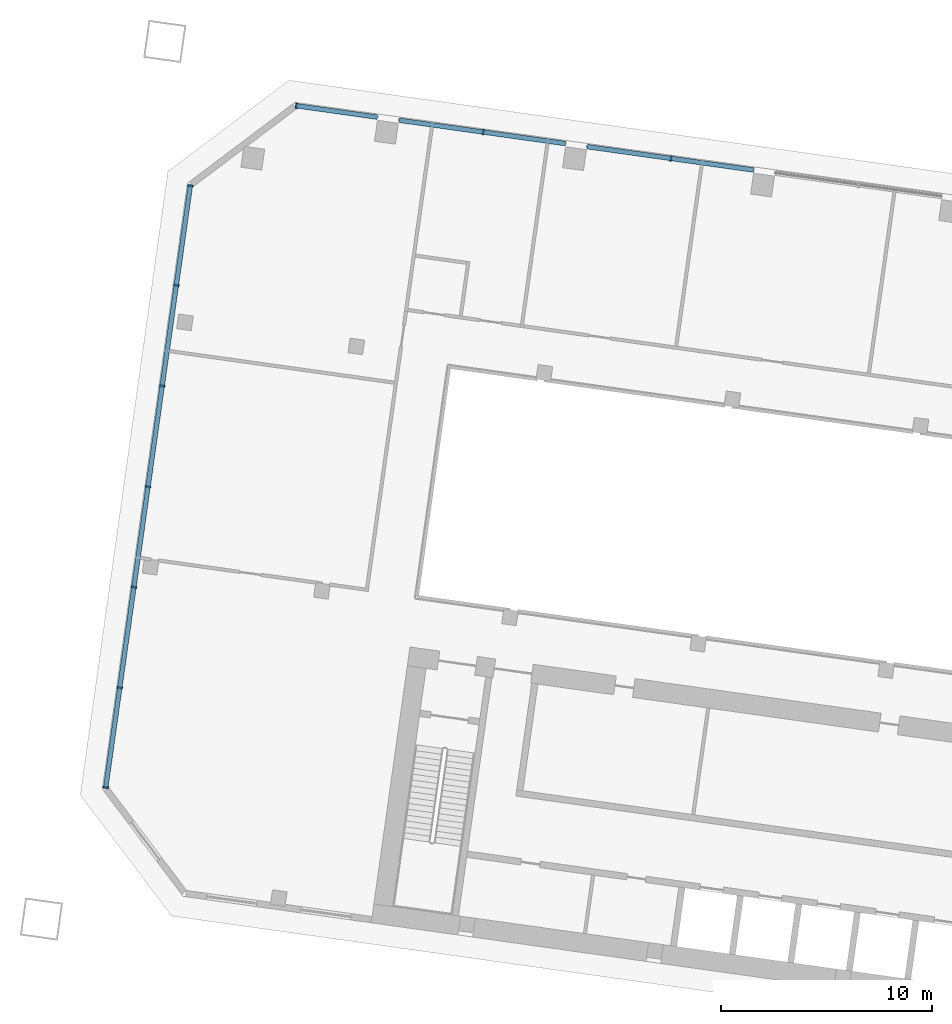
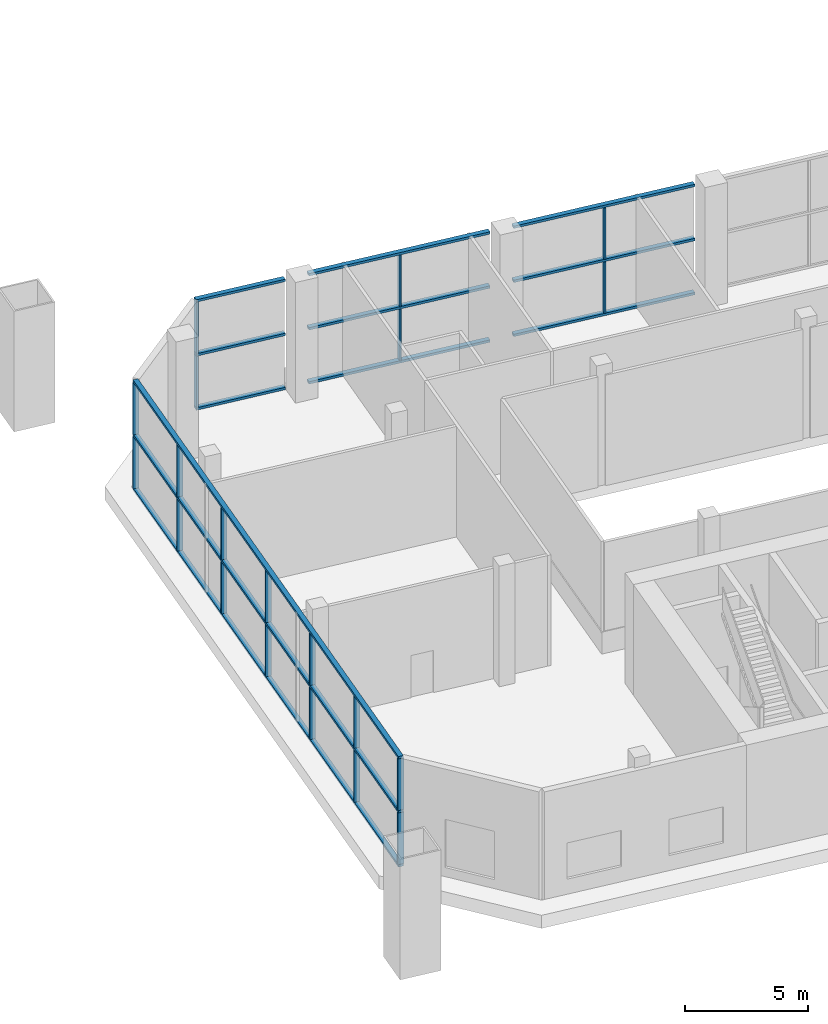
# One storey, part 2 of 24: 32 members, 2 elements without a shape of their own.
"""IFC4 building model written with IfcOpenShell, lengths in metres."""

from ifc_helpers import new_model, si_unit, direction, frame, origin, origin_2d, place, context, subcontext, project, spatial, rectangle, extrude, material, material_profile, profile_set, type_object, element, aggregate, save


model = new_model("IFC4")

# Units and contexts
model_context = context("Model", 3, precision=1e-05, world=origin(), true_north=direction((0.0, 1.0)))
body_context = subcontext(model_context, "Body", "Model", "MODEL_VIEW")
ifc_project = project(units=[si_unit("LENGTHUNIT", "METRE"), si_unit("AREAUNIT", "SQUARE_METRE"), si_unit("VOLUMEUNIT", "CUBIC_METRE"), si_unit("PLANEANGLEUNIT", "RADIAN"), si_unit("MASSUNIT", "GRAM", prefix="KILO")], contexts=[model_context])

# Site, building, storey
site_placement = place(None, origin())
site = spatial("IfcSite", under=ifc_project, at=site_placement, CompositionType="ELEMENT")
building_placement = place(site_placement, origin())
building = spatial("IfcBuilding", under=site, at=building_placement, Name="Mirante Cascada Hotel Towers", CompositionType="ELEMENT")
storey_placement = place(building_placement, frame((0.0, 0.0, 17.5)))
storey = spatial("IfcBuildingStorey", under=building, at=storey_placement, Name="L02", CompositionType="ELEMENT", Elevation=17.5)

# Curtain wall, members
ifc_material_1 = material(Name="Aluminium mullion and transom frame with clear laminated glass", Category="aluminium")
curtain_wall_type = type_object("IfcCurtainWallType", Name="Podium curtain wall ECW3", PredefinedType="NOTDEFINED", material=ifc_material_1)
curtain_wall_1_placement = place(storey_placement, origin())
curtain_wall_1 = element("IfcCurtainWall", 1, at=curtain_wall_1_placement, inside=storey, type_object=curtain_wall_type, Name="Front podium glazing T1 L02", PredefinedType="NOTDEFINED")
ifc_material_2 = material(Name="Anodised aluminium extrusion", Category="aluminium")
ifc_material_profile_1 = material_profile(ifc_material_2, rectangle(XDim=0.26, YDim=0.08, at=origin_2d()), Name="ECW3 MULLION 80x260")
ifc_profile_set_1 = profile_set([ifc_material_profile_1], Name="Anodised aluminium extrusion")
member_type_1 = type_object("IfcMemberType", Name="ECW3 mullion 80x260", PredefinedType="MULLION", material=ifc_profile_set_1)
member_1_placement = place(storey_placement, frame((-94.1185, 26.0465, 0.12), z_axis=(0.0, 0.0, 1.0), x_axis=(0.1391731, 0.9902681, 0.0)))
member_1 = element("IfcMember", 2, at=member_1_placement, type_object=member_type_1, Name="ECW3 mullion 1", PredefinedType="MULLION", context=body_context, shape_type="SweptSolid", body=[
    extrude(rectangle(XDim=0.26, YDim=0.08, at=origin_2d()), origin(), (0.0, 0.0, 1.0), 2.57),
])
member_2_placement = place(storey_placement, frame((-94.1185, 26.0465, 2.81), z_axis=(0.0, 0.0, 1.0), x_axis=(0.1391731, 0.9902681, 0.0)))
member_2 = element("IfcMember", 3, at=member_2_placement, type_object=member_type_1, Name="ECW3 mullion 1", PredefinedType="MULLION", context=body_context, shape_type="SweptSolid", body=[
    extrude(rectangle(XDim=0.26, YDim=0.08, at=origin_2d()), origin(), (0.0, 0.0, 1.0), 2.57),
])
member_3_placement = place(storey_placement, frame((-85.2633, 24.802, 0.12), z_axis=(0.0, 0.0, 1.0), x_axis=(0.1391731, 0.9902681, 0.0)))
member_3 = element("IfcMember", 4, at=member_3_placement, type_object=member_type_1, Name="ECW3 mullion 3", PredefinedType="MULLION", context=body_context, shape_type="SweptSolid", body=[
    extrude(rectangle(XDim=0.26, YDim=0.08, at=origin_2d()), origin(), (0.0, 0.0, 1.0), 2.57),
])
member_4_placement = place(storey_placement, frame((-85.2633, 24.802, 2.81), z_axis=(0.0, 0.0, 1.0), x_axis=(0.1391731, 0.9902681, 0.0)))
member_4 = element("IfcMember", 5, at=member_4_placement, type_object=member_type_1, Name="ECW3 mullion 3", PredefinedType="MULLION", context=body_context, shape_type="SweptSolid", body=[
    extrude(rectangle(XDim=0.26, YDim=0.08, at=origin_2d()), origin(), (0.0, 0.0, 1.0), 2.57),
])
member_5_placement = place(storey_placement, frame((-76.3685, 23.5519, 0.12), z_axis=(0.0, 0.0, 1.0), x_axis=(0.1391731, 0.9902681, 0.0)))
member_5 = element("IfcMember", 6, at=member_5_placement, type_object=member_type_1, Name="ECW3 mullion 5", PredefinedType="MULLION", context=body_context, shape_type="SweptSolid", body=[
    extrude(rectangle(XDim=0.26, YDim=0.08, at=origin_2d()), origin(), (0.0, 0.0, 1.0), 2.57),
])
member_6_placement = place(storey_placement, frame((-76.3685, 23.5519, 2.81), z_axis=(0.0, 0.0, 1.0), x_axis=(0.1391731, 0.9902681, 0.0)))
member_6 = element("IfcMember", 7, at=member_6_placement, type_object=member_type_1, Name="ECW3 mullion 5", PredefinedType="MULLION", context=body_context, shape_type="SweptSolid", body=[
    extrude(rectangle(XDim=0.26, YDim=0.08, at=origin_2d()), origin(), (0.0, 0.0, 1.0), 2.57),
])

curtain_wall_2_placement = place(storey_placement, origin())
curtain_wall_2 = element("IfcCurtainWall", 8, at=curtain_wall_2_placement, inside=storey, type_object=curtain_wall_type, Name="Outer end podium glazing T1 L02", PredefinedType="NOTDEFINED")
member_7_placement = place(storey_placement, frame((-103.1546, -6.2582, 0.12), z_axis=(0.0, 0.0, 1.0), x_axis=(-0.9902681, 0.1391731, 0.0)))
member_7 = element("IfcMember", 9, at=member_7_placement, type_object=member_type_1, Name="ECW3 mullion 1", PredefinedType="MULLION", context=body_context, shape_type="SweptSolid", body=[
    extrude(rectangle(XDim=0.26, YDim=0.08, at=origin_2d()), origin(), (0.0, 0.0, 1.0), 2.57),
])
member_8_placement = place(storey_placement, frame((-103.1546, -6.2582, 2.81), z_axis=(0.0, 0.0, 1.0), x_axis=(-0.9902681, 0.1391731, 0.0)))
member_8 = element("IfcMember", 10, at=member_8_placement, type_object=member_type_1, Name="ECW3 mullion 1", PredefinedType="MULLION", context=body_context, shape_type="SweptSolid", body=[
    extrude(rectangle(XDim=0.26, YDim=0.08, at=origin_2d()), origin(), (0.0, 0.0, 1.0), 2.57),
])
member_9_placement = place(storey_placement, frame((-102.4903, -1.532, 0.12), z_axis=(0.0, 0.0, 1.0), x_axis=(-0.9902681, 0.1391731, 0.0)))
member_9 = element("IfcMember", 11, at=member_9_placement, type_object=member_type_1, Name="ECW3 mullion 2", PredefinedType="MULLION", context=body_context, shape_type="SweptSolid", body=[
    extrude(rectangle(XDim=0.26, YDim=0.08, at=origin_2d()), origin(), (0.0, 0.0, 1.0), 2.57),
])
member_10_placement = place(storey_placement, frame((-102.4903, -1.532, 2.81), z_axis=(0.0, 0.0, 1.0), x_axis=(-0.9902681, 0.1391731, 0.0)))
member_10 = element("IfcMember", 12, at=member_10_placement, type_object=member_type_1, Name="ECW3 mullion 2", PredefinedType="MULLION", context=body_context, shape_type="SweptSolid", body=[
    extrude(rectangle(XDim=0.26, YDim=0.08, at=origin_2d()), origin(), (0.0, 0.0, 1.0), 2.57),
])
member_11_placement = place(storey_placement, frame((-101.8205, 3.2338, 0.12), z_axis=(0.0, 0.0, 1.0), x_axis=(-0.9902681, 0.1391731, 0.0)))
member_11 = element("IfcMember", 13, at=member_11_placement, type_object=member_type_1, Name="ECW3 mullion 3", PredefinedType="MULLION", context=body_context, shape_type="SweptSolid", body=[
    extrude(rectangle(XDim=0.26, YDim=0.08, at=origin_2d()), origin(), (0.0, 0.0, 1.0), 2.57),
])
member_12_placement = place(storey_placement, frame((-101.8205, 3.2338, 2.81), z_axis=(0.0, 0.0, 1.0), x_axis=(-0.9902681, 0.1391731, 0.0)))
member_12 = element("IfcMember", 14, at=member_12_placement, type_object=member_type_1, Name="ECW3 mullion 3", PredefinedType="MULLION", context=body_context, shape_type="SweptSolid", body=[
    extrude(rectangle(XDim=0.26, YDim=0.08, at=origin_2d()), origin(), (0.0, 0.0, 1.0), 2.57),
])
member_13_placement = place(storey_placement, frame((-101.1508, 7.9996, 0.12), z_axis=(0.0, 0.0, 1.0), x_axis=(-0.9902681, 0.1391731, 0.0)))
member_13 = element("IfcMember", 15, at=member_13_placement, type_object=member_type_1, Name="ECW3 mullion 4", PredefinedType="MULLION", context=body_context, shape_type="SweptSolid", body=[
    extrude(rectangle(XDim=0.26, YDim=0.08, at=origin_2d()), origin(), (0.0, 0.0, 1.0), 2.57),
])
member_14_placement = place(storey_placement, frame((-101.1508, 7.9996, 2.81), z_axis=(0.0, 0.0, 1.0), x_axis=(-0.9902681, 0.1391731, 0.0)))
member_14 = element("IfcMember", 16, at=member_14_placement, type_object=member_type_1, Name="ECW3 mullion 4", PredefinedType="MULLION", context=body_context, shape_type="SweptSolid", body=[
    extrude(rectangle(XDim=0.26, YDim=0.08, at=origin_2d()), origin(), (0.0, 0.0, 1.0), 2.57),
])
member_15_placement = place(storey_placement, frame((-100.481, 12.7654, 0.12), z_axis=(0.0, 0.0, 1.0), x_axis=(-0.9902681, 0.1391731, 0.0)))
member_15 = element("IfcMember", 17, at=member_15_placement, type_object=member_type_1, Name="ECW3 mullion 5", PredefinedType="MULLION", context=body_context, shape_type="SweptSolid", body=[
    extrude(rectangle(XDim=0.26, YDim=0.08, at=origin_2d()), origin(), (0.0, 0.0, 1.0), 2.57),
])
member_16_placement = place(storey_placement, frame((-100.481, 12.7654, 2.81), z_axis=(0.0, 0.0, 1.0), x_axis=(-0.9902681, 0.1391731, 0.0)))
member_16 = element("IfcMember", 18, at=member_16_placement, type_object=member_type_1, Name="ECW3 mullion 5", PredefinedType="MULLION", context=body_context, shape_type="SweptSolid", body=[
    extrude(rectangle(XDim=0.26, YDim=0.08, at=origin_2d()), origin(), (0.0, 0.0, 1.0), 2.57),
])
member_17_placement = place(storey_placement, frame((-99.8112, 17.5312, 0.12), z_axis=(0.0, 0.0, 1.0), x_axis=(-0.9902681, 0.1391731, 0.0)))
member_17 = element("IfcMember", 19, at=member_17_placement, type_object=member_type_1, Name="ECW3 mullion 6", PredefinedType="MULLION", context=body_context, shape_type="SweptSolid", body=[
    extrude(rectangle(XDim=0.26, YDim=0.08, at=origin_2d()), origin(), (0.0, 0.0, 1.0), 2.57),
])
member_18_placement = place(storey_placement, frame((-99.8112, 17.5312, 2.81), z_axis=(0.0, 0.0, 1.0), x_axis=(-0.9902681, 0.1391731, 0.0)))
member_18 = element("IfcMember", 20, at=member_18_placement, type_object=member_type_1, Name="ECW3 mullion 6", PredefinedType="MULLION", context=body_context, shape_type="SweptSolid", body=[
    extrude(rectangle(XDim=0.26, YDim=0.08, at=origin_2d()), origin(), (0.0, 0.0, 1.0), 2.57),
])
member_19_placement = place(storey_placement, frame((-99.147, 22.2573, 0.12), z_axis=(0.0, 0.0, 1.0), x_axis=(-0.9902681, 0.1391731, 0.0)))
member_19 = element("IfcMember", 21, at=member_19_placement, type_object=member_type_1, Name="ECW3 mullion 7", PredefinedType="MULLION", context=body_context, shape_type="SweptSolid", body=[
    extrude(rectangle(XDim=0.26, YDim=0.08, at=origin_2d()), origin(), (0.0, 0.0, 1.0), 2.57),
])
member_20_placement = place(storey_placement, frame((-99.147, 22.2573, 2.81), z_axis=(0.0, 0.0, 1.0), x_axis=(-0.9902681, 0.1391731, 0.0)))
member_20 = element("IfcMember", 22, at=member_20_placement, type_object=member_type_1, Name="ECW3 mullion 7", PredefinedType="MULLION", context=body_context, shape_type="SweptSolid", body=[
    extrude(rectangle(XDim=0.26, YDim=0.08, at=origin_2d()), origin(), (0.0, 0.0, 1.0), 2.57),
])

# Member
ifc_material_3 = material(Name="Anodised aluminium extrusion", Category="aluminium")
ifc_material_profile_2 = material_profile(ifc_material_3, rectangle(XDim=0.22, YDim=0.12, at=origin_2d()), Name="ECW3 TRANSOM 120x220")
ifc_profile_set_2 = profile_set([ifc_material_profile_2], Name="Anodised aluminium extrusion")
member_type_2 = type_object("IfcMemberType", Name="ECW3 transom 120x220", PredefinedType="USERDEFINED", material=ifc_profile_set_2)
member_21_placement = place(storey_placement, frame((-94.1582, 26.0521, 0.06), z_axis=(0.990267, -0.1391805, 0.0), x_axis=(0.1391805, 0.990267, 0.0)))
member_21 = element("IfcMember", 23, at=member_21_placement, type_object=member_type_2, Name="ECW3 sill transom", ObjectType="TRANSOM", PredefinedType="USERDEFINED", context=body_context, shape_type="SweptSolid", body=[
    extrude(rectangle(XDim=0.22, YDim=0.12, at=origin_2d()), origin(), (0.0, 0.0, 1.0), 3.9179),
])

member_22_placement = place(storey_placement, frame((-89.2485, 25.3621, 0.06), z_axis=(0.9902683, -0.1391715, 0.0), x_axis=(0.1391715, 0.9902683, 0.0)))
member_22 = element("IfcMember", 24, at=member_22_placement, type_object=member_type_2, Name="ECW3 sill transom", ObjectType="TRANSOM", PredefinedType="USERDEFINED", context=body_context, shape_type="SweptSolid", body=[
    extrude(rectangle(XDim=0.22, YDim=0.12, at=origin_2d()), origin(), (0.0, 0.0, 1.0), 7.96),
])

member_23_placement = place(storey_placement, frame((-80.3361, 24.1095, 0.06), z_axis=(0.9902683, -0.1391715, 0.0), x_axis=(0.1391715, 0.9902683, 0.0)))
member_23 = element("IfcMember", 25, at=member_23_placement, type_object=member_type_2, Name="ECW3 sill transom", ObjectType="TRANSOM", PredefinedType="USERDEFINED", context=body_context, shape_type="SweptSolid", body=[
    extrude(rectangle(XDim=0.22, YDim=0.12, at=origin_2d()), origin(), (0.0, 0.0, 1.0), 7.96),
])

member_24_placement = place(storey_placement, frame((-94.1582, 26.0521, 2.75), z_axis=(0.990267, -0.1391805, 0.0), x_axis=(0.1391805, 0.990267, 0.0)))
member_24 = element("IfcMember", 26, at=member_24_placement, type_object=member_type_2, Name="ECW3 intermediate transom", ObjectType="TRANSOM", PredefinedType="USERDEFINED", context=body_context, shape_type="SweptSolid", body=[
    extrude(rectangle(XDim=0.22, YDim=0.12, at=origin_2d()), origin(), (0.0, 0.0, 1.0), 3.9179),
])

member_25_placement = place(storey_placement, frame((-89.2485, 25.3621, 2.75), z_axis=(0.9902683, -0.1391715, 0.0), x_axis=(0.1391715, 0.9902683, 0.0)))
member_25 = element("IfcMember", 27, at=member_25_placement, type_object=member_type_2, Name="ECW3 intermediate transom", ObjectType="TRANSOM", PredefinedType="USERDEFINED", context=body_context, shape_type="SweptSolid", body=[
    extrude(rectangle(XDim=0.22, YDim=0.12, at=origin_2d()), origin(), (0.0, 0.0, 1.0), 7.96),
])

member_26_placement = place(storey_placement, frame((-80.3361, 24.1095, 2.75), z_axis=(0.9902683, -0.1391715, 0.0), x_axis=(0.1391715, 0.9902683, 0.0)))
member_26 = element("IfcMember", 28, at=member_26_placement, type_object=member_type_2, Name="ECW3 intermediate transom", ObjectType="TRANSOM", PredefinedType="USERDEFINED", context=body_context, shape_type="SweptSolid", body=[
    extrude(rectangle(XDim=0.22, YDim=0.12, at=origin_2d()), origin(), (0.0, 0.0, 1.0), 7.96),
])

member_27_placement = place(storey_placement, frame((-94.1582, 26.0521, 5.44), z_axis=(0.990267, -0.1391805, 0.0), x_axis=(0.1391805, 0.990267, 0.0)))
member_27 = element("IfcMember", 29, at=member_27_placement, type_object=member_type_2, Name="ECW3 head transom", ObjectType="TRANSOM", PredefinedType="USERDEFINED", context=body_context, shape_type="SweptSolid", body=[
    extrude(rectangle(XDim=0.22, YDim=0.12, at=origin_2d()), origin(), (0.0, 0.0, 1.0), 3.9179),
])

member_28_placement = place(storey_placement, frame((-89.2485, 25.3621, 5.44), z_axis=(0.9902683, -0.1391715, 0.0), x_axis=(0.1391715, 0.9902683, 0.0)))
member_28 = element("IfcMember", 30, at=member_28_placement, type_object=member_type_2, Name="ECW3 head transom", ObjectType="TRANSOM", PredefinedType="USERDEFINED", context=body_context, shape_type="SweptSolid", body=[
    extrude(rectangle(XDim=0.22, YDim=0.12, at=origin_2d()), origin(), (0.0, 0.0, 1.0), 7.96),
])

member_29_placement = place(storey_placement, frame((-80.3361, 24.1095, 5.44), z_axis=(0.9902683, -0.1391715, 0.0), x_axis=(0.1391715, 0.9902683, 0.0)))
member_29 = element("IfcMember", 31, at=member_29_placement, type_object=member_type_2, Name="ECW3 head transom", ObjectType="TRANSOM", PredefinedType="USERDEFINED", context=body_context, shape_type="SweptSolid", body=[
    extrude(rectangle(XDim=0.22, YDim=0.12, at=origin_2d()), origin(), (0.0, 0.0, 1.0), 7.96),
])

aggregate(curtain_wall_1, [member_21, member_22, member_23, member_24, member_25, member_26, member_27, member_28, member_29, member_1, member_2, member_3, member_4, member_5, member_6])

member_30_placement = place(storey_placement, frame((-103.1601, -6.2978, 0.06), z_axis=(0.1391723, 0.9902682, 0.0), x_axis=(-0.9902682, 0.1391723, 0.0)))
member_30 = element("IfcMember", 32, at=member_30_placement, type_object=member_type_2, Name="ECW3 sill transom", ObjectType="TRANSOM", PredefinedType="USERDEFINED", context=body_context, shape_type="SweptSolid", body=[
    extrude(rectangle(XDim=0.22, YDim=0.12, at=origin_2d()), origin(), (0.0, 0.0, 1.0), 28.8757),
])

member_31_placement = place(storey_placement, frame((-103.1601, -6.2978, 2.75), z_axis=(0.1391723, 0.9902682, 0.0), x_axis=(-0.9902682, 0.1391723, 0.0)))
member_31 = element("IfcMember", 33, at=member_31_placement, type_object=member_type_2, Name="ECW3 intermediate transom", ObjectType="TRANSOM", PredefinedType="USERDEFINED", context=body_context, shape_type="SweptSolid", body=[
    extrude(rectangle(XDim=0.22, YDim=0.12, at=origin_2d()), origin(), (0.0, 0.0, 1.0), 28.8757),
])

member_32_placement = place(storey_placement, frame((-103.1601, -6.2978, 5.44), z_axis=(0.1391723, 0.9902682, 0.0), x_axis=(-0.9902682, 0.1391723, 0.0)))
member_32 = element("IfcMember", 34, at=member_32_placement, type_object=member_type_2, Name="ECW3 head transom", ObjectType="TRANSOM", PredefinedType="USERDEFINED", context=body_context, shape_type="SweptSolid", body=[
    extrude(rectangle(XDim=0.22, YDim=0.12, at=origin_2d()), origin(), (0.0, 0.0, 1.0), 28.8757),
])

aggregate(curtain_wall_2, [member_30, member_31, member_32, member_7, member_8, member_9, member_10, member_11, member_12, member_13, member_14, member_15, member_16, member_17, member_18, member_19, member_20])

save(model, "model.ifc")
